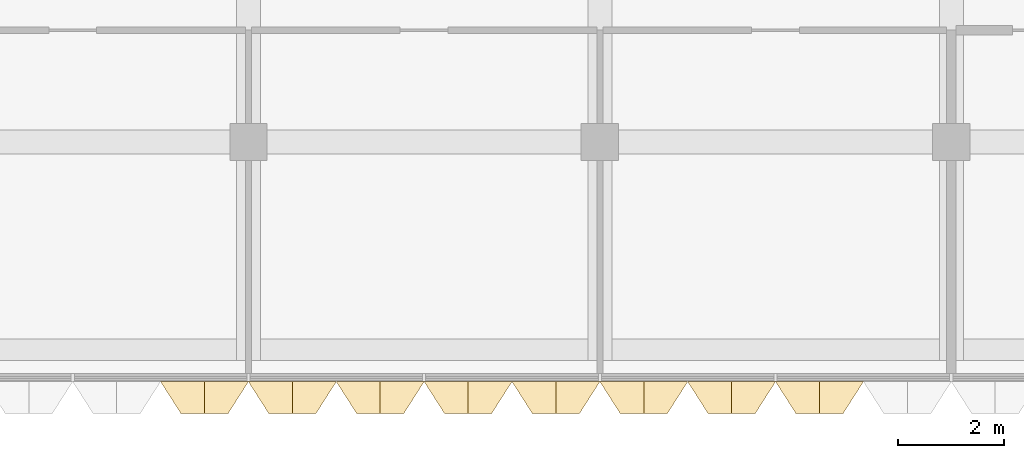
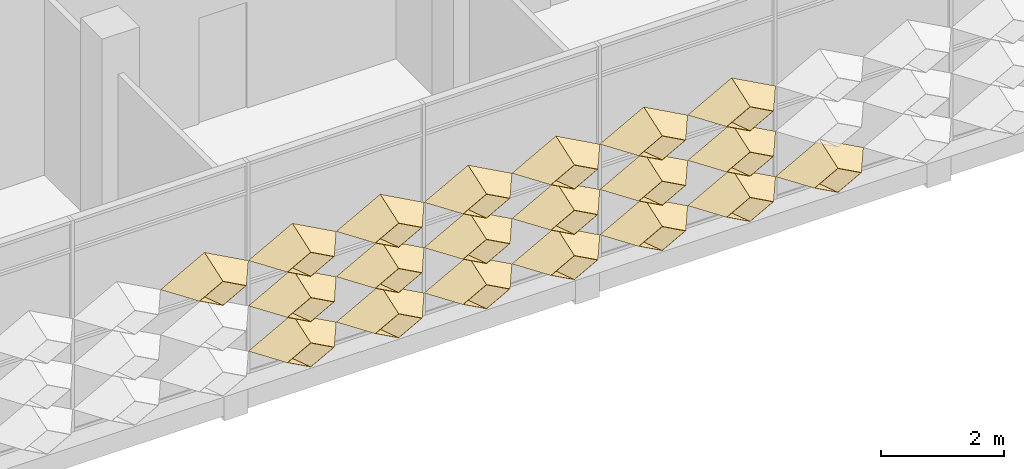
# One storey, part 37 of 61: 20 coverings.
"""IFC4 building model written with IfcOpenShell, lengths in metres."""

from ifc_helpers import new_model, entity, si_unit, direction, frame, origin, place, context, subcontext, project, spatial, material, layer, layer_set, type_object, element, save


model = new_model("IFC4")

# Units and contexts
model_context = context("Model", 3, precision=1e-05, world=origin(), true_north=direction((0.0, 1.0)))
body_context = subcontext(model_context, "Body", "Model", "MODEL_VIEW")
ifc_project = project(units=[si_unit("LENGTHUNIT", "METRE"), si_unit("AREAUNIT", "SQUARE_METRE"), si_unit("VOLUMEUNIT", "CUBIC_METRE"), si_unit("PLANEANGLEUNIT", "RADIAN"), si_unit("MASSUNIT", "GRAM", prefix="KILO")], contexts=[model_context])

# Site, building, storey
site_placement = place(None, origin())
site = spatial("IfcSite", under=ifc_project, at=site_placement, CompositionType="ELEMENT")
building_placement = place(site_placement, origin())
building = spatial("IfcBuilding", under=site, at=building_placement, Name="Lantern Court Research Institute", CompositionType="ELEMENT")
storey_placement = place(building_placement, frame((0.0, 0.0, 23.39990234375)))
storey = spatial("IfcBuildingStorey", under=building, at=storey_placement, Name="L05", CompositionType="ELEMENT", Elevation=23.39990234375)

# Coverings
ifc_material = material(Name="Anodised aluminium", Category="aluminium")
ifc_layer = layer(ifc_material, 0.01611328125)
ifc_layer_set = layer_set([ifc_layer], Name="Anodised aluminium")
covering_type = type_object("IfcCoveringType", Name="Fin cassette 1650 x 900 x 600 aluminium", PredefinedType="CLADDING", material=ifc_layer_set)
covering_1_placement = place(storey_placement, frame((33.824951171875, -8.39990234375, 0.4501953125), z_axis=(0.0, -1.0, 0.0), x_axis=(1.0, 0.0, 0.0)))
cartesian_point_1 = entity("IfcCartesianPoint", [0.824951171875, 0.0])
cartesian_point_2 = entity("IfcCartesianPoint", [0.79150390625, 0.0])
cartesian_point_3 = entity("IfcCartesianPoint", [0.44189453125, 0.0])
cartesian_point_4 = entity("IfcCartesianPoint", [0.43359375, 0.0])
element("IfcCovering", 1, at=covering_1_placement, inside=storey, type_object=covering_type, Name="Fin cassette V4S-L05 1.21", PredefinedType="CLADDING", context=body_context, shape_type="SweptSolid", body=[
    entity("IfcExtrudedAreaSolidTapered", entity("IfcArbitraryProfileDefWithVoids", "AREA", None, entity("IfcPolyline", [cartesian_point_1, entity("IfcCartesianPoint", [0.0, 0.449951171875]), entity("IfcCartesianPoint", [-0.824951171875, 0.0]), entity("IfcCartesianPoint", [0.0, -0.449951171875]), cartesian_point_1]), [entity("IfcPolyline", [cartesian_point_2, entity("IfcCartesianPoint", [0.0, 0.431884765625]), entity("IfcCartesianPoint", [-0.79150390625, 0.0]), entity("IfcCartesianPoint", [0.0, -0.431884765625]), cartesian_point_2])]), entity("IfcAxis2Placement3D", entity("IfcCartesianPoint", [0.0, 0.0, 0.0])), entity("IfcDirection", [0.0, 0.0, 1.0]), 0.60009765625, entity("IfcArbitraryProfileDefWithVoids", "AREA", None, entity("IfcPolyline", [cartesian_point_3, entity("IfcCartesianPoint", [0.0, 0.240966796875]), entity("IfcCartesianPoint", [-0.44189453125, 0.0]), entity("IfcCartesianPoint", [0.0, -0.240966796875]), cartesian_point_3]), [entity("IfcPolyline", [cartesian_point_4, entity("IfcCartesianPoint", [0.0, 0.236572265625]), entity("IfcCartesianPoint", [-0.43359375, 0.0]), entity("IfcCartesianPoint", [0.0, -0.236572265625]), cartesian_point_4])])),
])
covering_2_placement = place(storey_placement, frame((35.47509765625, -8.39990234375, 0.4501953125), z_axis=(0.0, -1.0, 0.0), x_axis=(1.0, 0.0, 0.0)))
cartesian_point_5 = entity("IfcCartesianPoint", [0.824951171875, 0.0])
cartesian_point_6 = entity("IfcCartesianPoint", [0.79150390625, 0.0])
cartesian_point_7 = entity("IfcCartesianPoint", [0.44189453125, 0.0])
cartesian_point_8 = entity("IfcCartesianPoint", [0.43359375, 0.0])
element("IfcCovering", 2, at=covering_2_placement, inside=storey, type_object=covering_type, Name="Fin cassette V4S-L05 1.22", PredefinedType="CLADDING", context=body_context, shape_type="SweptSolid", body=[
    entity("IfcExtrudedAreaSolidTapered", entity("IfcArbitraryProfileDefWithVoids", "AREA", None, entity("IfcPolyline", [cartesian_point_5, entity("IfcCartesianPoint", [0.0, 0.449951171875]), entity("IfcCartesianPoint", [-0.824951171875, 0.0]), entity("IfcCartesianPoint", [0.0, -0.449951171875]), cartesian_point_5]), [entity("IfcPolyline", [cartesian_point_6, entity("IfcCartesianPoint", [0.0, 0.431884765625]), entity("IfcCartesianPoint", [-0.79150390625, 0.0]), entity("IfcCartesianPoint", [0.0, -0.431884765625]), cartesian_point_6])]), entity("IfcAxis2Placement3D", entity("IfcCartesianPoint", [0.0, 0.0, 0.0])), entity("IfcDirection", [0.0, 0.0, 1.0]), 0.60009765625, entity("IfcArbitraryProfileDefWithVoids", "AREA", None, entity("IfcPolyline", [cartesian_point_7, entity("IfcCartesianPoint", [0.0, 0.240966796875]), entity("IfcCartesianPoint", [-0.44189453125, 0.0]), entity("IfcCartesianPoint", [0.0, -0.240966796875]), cartesian_point_7]), [entity("IfcPolyline", [cartesian_point_8, entity("IfcCartesianPoint", [0.0, 0.236572265625]), entity("IfcCartesianPoint", [-0.43359375, 0.0]), entity("IfcCartesianPoint", [0.0, -0.236572265625]), cartesian_point_8])])),
])
covering_3_placement = place(storey_placement, frame((37.125, -8.39990234375, 0.4501953125), z_axis=(0.0, -1.0, 0.0), x_axis=(1.0, 0.0, 0.0)))
cartesian_point_9 = entity("IfcCartesianPoint", [0.824951171875, 0.0])
cartesian_point_10 = entity("IfcCartesianPoint", [0.79150390625, 0.0])
cartesian_point_11 = entity("IfcCartesianPoint", [0.44189453125, 0.0])
cartesian_point_12 = entity("IfcCartesianPoint", [0.43359375, 0.0])
element("IfcCovering", 3, at=covering_3_placement, inside=storey, type_object=covering_type, Name="Fin cassette V4S-L05 1.23", PredefinedType="CLADDING", context=body_context, shape_type="SweptSolid", body=[
    entity("IfcExtrudedAreaSolidTapered", entity("IfcArbitraryProfileDefWithVoids", "AREA", None, entity("IfcPolyline", [cartesian_point_9, entity("IfcCartesianPoint", [0.0, 0.449951171875]), entity("IfcCartesianPoint", [-0.824951171875, 0.0]), entity("IfcCartesianPoint", [0.0, -0.449951171875]), cartesian_point_9]), [entity("IfcPolyline", [cartesian_point_10, entity("IfcCartesianPoint", [0.0, 0.431884765625]), entity("IfcCartesianPoint", [-0.79150390625, 0.0]), entity("IfcCartesianPoint", [0.0, -0.431884765625]), cartesian_point_10])]), entity("IfcAxis2Placement3D", entity("IfcCartesianPoint", [0.0, 0.0, 0.0])), entity("IfcDirection", [0.0, 0.0, 1.0]), 0.60009765625, entity("IfcArbitraryProfileDefWithVoids", "AREA", None, entity("IfcPolyline", [cartesian_point_11, entity("IfcCartesianPoint", [0.0, 0.240966796875]), entity("IfcCartesianPoint", [-0.44189453125, 0.0]), entity("IfcCartesianPoint", [0.0, -0.240966796875]), cartesian_point_11]), [entity("IfcPolyline", [cartesian_point_12, entity("IfcCartesianPoint", [0.0, 0.236572265625]), entity("IfcCartesianPoint", [-0.43359375, 0.0]), entity("IfcCartesianPoint", [0.0, -0.236572265625]), cartesian_point_12])])),
])
covering_4_placement = place(storey_placement, frame((38.77490234375, -8.39990234375, 0.4501953125), z_axis=(0.0, -1.0, 0.0), x_axis=(1.0, 0.0, 0.0)))
cartesian_point_13 = entity("IfcCartesianPoint", [0.824951171875, 0.0])
cartesian_point_14 = entity("IfcCartesianPoint", [0.79150390625, 0.0])
cartesian_point_15 = entity("IfcCartesianPoint", [0.44189453125, 0.0])
cartesian_point_16 = entity("IfcCartesianPoint", [0.43359375, 0.0])
element("IfcCovering", 4, at=covering_4_placement, inside=storey, type_object=covering_type, Name="Fin cassette V4S-L05 1.24", PredefinedType="CLADDING", context=body_context, shape_type="SweptSolid", body=[
    entity("IfcExtrudedAreaSolidTapered", entity("IfcArbitraryProfileDefWithVoids", "AREA", None, entity("IfcPolyline", [cartesian_point_13, entity("IfcCartesianPoint", [0.0, 0.449951171875]), entity("IfcCartesianPoint", [-0.824951171875, 0.0]), entity("IfcCartesianPoint", [0.0, -0.449951171875]), cartesian_point_13]), [entity("IfcPolyline", [cartesian_point_14, entity("IfcCartesianPoint", [0.0, 0.431884765625]), entity("IfcCartesianPoint", [-0.79150390625, 0.0]), entity("IfcCartesianPoint", [0.0, -0.431884765625]), cartesian_point_14])]), entity("IfcAxis2Placement3D", entity("IfcCartesianPoint", [0.0, 0.0, 0.0])), entity("IfcDirection", [0.0, 0.0, 1.0]), 0.60009765625, entity("IfcArbitraryProfileDefWithVoids", "AREA", None, entity("IfcPolyline", [cartesian_point_15, entity("IfcCartesianPoint", [0.0, 0.240966796875]), entity("IfcCartesianPoint", [-0.44189453125, 0.0]), entity("IfcCartesianPoint", [0.0, -0.240966796875]), cartesian_point_15]), [entity("IfcPolyline", [cartesian_point_16, entity("IfcCartesianPoint", [0.0, 0.236572265625]), entity("IfcCartesianPoint", [-0.43359375, 0.0]), entity("IfcCartesianPoint", [0.0, -0.236572265625]), cartesian_point_16])])),
])
covering_5_placement = place(storey_placement, frame((40.425048828125, -8.39990234375, 0.4501953125), z_axis=(0.0, -1.0, 0.0), x_axis=(1.0, 0.0, 0.0)))
cartesian_point_17 = entity("IfcCartesianPoint", [0.824951171875, 0.0])
cartesian_point_18 = entity("IfcCartesianPoint", [0.79150390625, 0.0])
cartesian_point_19 = entity("IfcCartesianPoint", [0.44189453125, 0.0])
cartesian_point_20 = entity("IfcCartesianPoint", [0.43359375, 0.0])
element("IfcCovering", 5, at=covering_5_placement, inside=storey, type_object=covering_type, Name="Fin cassette V4S-L05 1.25", PredefinedType="CLADDING", context=body_context, shape_type="SweptSolid", body=[
    entity("IfcExtrudedAreaSolidTapered", entity("IfcArbitraryProfileDefWithVoids", "AREA", None, entity("IfcPolyline", [cartesian_point_17, entity("IfcCartesianPoint", [0.0, 0.449951171875]), entity("IfcCartesianPoint", [-0.824951171875, 0.0]), entity("IfcCartesianPoint", [0.0, -0.449951171875]), cartesian_point_17]), [entity("IfcPolyline", [cartesian_point_18, entity("IfcCartesianPoint", [0.0, 0.431884765625]), entity("IfcCartesianPoint", [-0.79150390625, 0.0]), entity("IfcCartesianPoint", [0.0, -0.431884765625]), cartesian_point_18])]), entity("IfcAxis2Placement3D", entity("IfcCartesianPoint", [0.0, 0.0, 0.0])), entity("IfcDirection", [0.0, 0.0, 1.0]), 0.60009765625, entity("IfcArbitraryProfileDefWithVoids", "AREA", None, entity("IfcPolyline", [cartesian_point_19, entity("IfcCartesianPoint", [0.0, 0.240966796875]), entity("IfcCartesianPoint", [-0.44189453125, 0.0]), entity("IfcCartesianPoint", [0.0, -0.240966796875]), cartesian_point_19]), [entity("IfcPolyline", [cartesian_point_20, entity("IfcCartesianPoint", [0.0, 0.236572265625]), entity("IfcCartesianPoint", [-0.43359375, 0.0]), entity("IfcCartesianPoint", [0.0, -0.236572265625]), cartesian_point_20])])),
])
covering_6_placement = place(storey_placement, frame((42.074951171875, -8.39990234375, 0.4501953125), z_axis=(0.0, -1.0, 0.0), x_axis=(1.0, 0.0, 0.0)))
cartesian_point_21 = entity("IfcCartesianPoint", [0.824951171875, 0.0])
cartesian_point_22 = entity("IfcCartesianPoint", [0.79150390625, 0.0])
cartesian_point_23 = entity("IfcCartesianPoint", [0.44189453125, 0.0])
cartesian_point_24 = entity("IfcCartesianPoint", [0.43359375, 0.0])
element("IfcCovering", 6, at=covering_6_placement, inside=storey, type_object=covering_type, Name="Fin cassette V4S-L05 1.26", PredefinedType="CLADDING", context=body_context, shape_type="SweptSolid", body=[
    entity("IfcExtrudedAreaSolidTapered", entity("IfcArbitraryProfileDefWithVoids", "AREA", None, entity("IfcPolyline", [cartesian_point_21, entity("IfcCartesianPoint", [0.0, 0.449951171875]), entity("IfcCartesianPoint", [-0.824951171875, 0.0]), entity("IfcCartesianPoint", [0.0, -0.449951171875]), cartesian_point_21]), [entity("IfcPolyline", [cartesian_point_22, entity("IfcCartesianPoint", [0.0, 0.431884765625]), entity("IfcCartesianPoint", [-0.79150390625, 0.0]), entity("IfcCartesianPoint", [0.0, -0.431884765625]), cartesian_point_22])]), entity("IfcAxis2Placement3D", entity("IfcCartesianPoint", [0.0, 0.0, 0.0])), entity("IfcDirection", [0.0, 0.0, 1.0]), 0.60009765625, entity("IfcArbitraryProfileDefWithVoids", "AREA", None, entity("IfcPolyline", [cartesian_point_23, entity("IfcCartesianPoint", [0.0, 0.240966796875]), entity("IfcCartesianPoint", [-0.44189453125, 0.0]), entity("IfcCartesianPoint", [0.0, -0.240966796875]), cartesian_point_23]), [entity("IfcPolyline", [cartesian_point_24, entity("IfcCartesianPoint", [0.0, 0.236572265625]), entity("IfcCartesianPoint", [-0.43359375, 0.0]), entity("IfcCartesianPoint", [0.0, -0.236572265625]), cartesian_point_24])])),
])
covering_7_placement = place(storey_placement, frame((43.72509765625, -8.39990234375, 0.4501953125), z_axis=(0.0, -1.0, 0.0), x_axis=(1.0, 0.0, 0.0)))
cartesian_point_25 = entity("IfcCartesianPoint", [0.824951171875, 0.0])
cartesian_point_26 = entity("IfcCartesianPoint", [0.79150390625, 0.0])
cartesian_point_27 = entity("IfcCartesianPoint", [0.44189453125, 0.0])
cartesian_point_28 = entity("IfcCartesianPoint", [0.43359375, 0.0])
element("IfcCovering", 7, at=covering_7_placement, inside=storey, type_object=covering_type, Name="Fin cassette V4S-L05 1.27", PredefinedType="CLADDING", context=body_context, shape_type="SweptSolid", body=[
    entity("IfcExtrudedAreaSolidTapered", entity("IfcArbitraryProfileDefWithVoids", "AREA", None, entity("IfcPolyline", [cartesian_point_25, entity("IfcCartesianPoint", [0.0, 0.449951171875]), entity("IfcCartesianPoint", [-0.824951171875, 0.0]), entity("IfcCartesianPoint", [0.0, -0.449951171875]), cartesian_point_25]), [entity("IfcPolyline", [cartesian_point_26, entity("IfcCartesianPoint", [0.0, 0.431884765625]), entity("IfcCartesianPoint", [-0.79150390625, 0.0]), entity("IfcCartesianPoint", [0.0, -0.431884765625]), cartesian_point_26])]), entity("IfcAxis2Placement3D", entity("IfcCartesianPoint", [0.0, 0.0, 0.0])), entity("IfcDirection", [0.0, 0.0, 1.0]), 0.60009765625, entity("IfcArbitraryProfileDefWithVoids", "AREA", None, entity("IfcPolyline", [cartesian_point_27, entity("IfcCartesianPoint", [0.0, 0.240966796875]), entity("IfcCartesianPoint", [-0.44189453125, 0.0]), entity("IfcCartesianPoint", [0.0, -0.240966796875]), cartesian_point_27]), [entity("IfcPolyline", [cartesian_point_28, entity("IfcCartesianPoint", [0.0, 0.236572265625]), entity("IfcCartesianPoint", [-0.43359375, 0.0]), entity("IfcCartesianPoint", [0.0, -0.236572265625]), cartesian_point_28])])),
])
covering_8_placement = place(storey_placement, frame((33.824951171875, -8.39990234375, 1.35009765625), z_axis=(0.0, -1.0, 0.0), x_axis=(1.0, 0.0, 0.0)))
cartesian_point_29 = entity("IfcCartesianPoint", [0.824951171875, 0.0])
cartesian_point_30 = entity("IfcCartesianPoint", [0.79150390625, 0.0])
cartesian_point_31 = entity("IfcCartesianPoint", [0.44189453125, 0.0])
cartesian_point_32 = entity("IfcCartesianPoint", [0.43359375, 0.0])
element("IfcCovering", 8, at=covering_8_placement, inside=storey, type_object=covering_type, Name="Fin cassette V4S-L05 2.21", PredefinedType="CLADDING", context=body_context, shape_type="SweptSolid", body=[
    entity("IfcExtrudedAreaSolidTapered", entity("IfcArbitraryProfileDefWithVoids", "AREA", None, entity("IfcPolyline", [cartesian_point_29, entity("IfcCartesianPoint", [0.0, 0.449951171875]), entity("IfcCartesianPoint", [-0.824951171875, 0.0]), entity("IfcCartesianPoint", [0.0, -0.449951171875]), cartesian_point_29]), [entity("IfcPolyline", [cartesian_point_30, entity("IfcCartesianPoint", [0.0, 0.431884765625]), entity("IfcCartesianPoint", [-0.79150390625, 0.0]), entity("IfcCartesianPoint", [0.0, -0.431884765625]), cartesian_point_30])]), entity("IfcAxis2Placement3D", entity("IfcCartesianPoint", [0.0, 0.0, 0.0])), entity("IfcDirection", [0.0, 0.0, 1.0]), 0.60009765625, entity("IfcArbitraryProfileDefWithVoids", "AREA", None, entity("IfcPolyline", [cartesian_point_31, entity("IfcCartesianPoint", [0.0, 0.240966796875]), entity("IfcCartesianPoint", [-0.44189453125, 0.0]), entity("IfcCartesianPoint", [0.0, -0.240966796875]), cartesian_point_31]), [entity("IfcPolyline", [cartesian_point_32, entity("IfcCartesianPoint", [0.0, 0.236572265625]), entity("IfcCartesianPoint", [-0.43359375, 0.0]), entity("IfcCartesianPoint", [0.0, -0.236572265625]), cartesian_point_32])])),
])
covering_9_placement = place(storey_placement, frame((35.47509765625, -8.39990234375, 1.35009765625), z_axis=(0.0, -1.0, 0.0), x_axis=(1.0, 0.0, 0.0)))
cartesian_point_33 = entity("IfcCartesianPoint", [0.824951171875, 0.0])
cartesian_point_34 = entity("IfcCartesianPoint", [0.79150390625, 0.0])
cartesian_point_35 = entity("IfcCartesianPoint", [0.44189453125, 0.0])
cartesian_point_36 = entity("IfcCartesianPoint", [0.43359375, 0.0])
element("IfcCovering", 9, at=covering_9_placement, inside=storey, type_object=covering_type, Name="Fin cassette V4S-L05 2.22", PredefinedType="CLADDING", context=body_context, shape_type="SweptSolid", body=[
    entity("IfcExtrudedAreaSolidTapered", entity("IfcArbitraryProfileDefWithVoids", "AREA", None, entity("IfcPolyline", [cartesian_point_33, entity("IfcCartesianPoint", [0.0, 0.449951171875]), entity("IfcCartesianPoint", [-0.824951171875, 0.0]), entity("IfcCartesianPoint", [0.0, -0.449951171875]), cartesian_point_33]), [entity("IfcPolyline", [cartesian_point_34, entity("IfcCartesianPoint", [0.0, 0.431884765625]), entity("IfcCartesianPoint", [-0.79150390625, 0.0]), entity("IfcCartesianPoint", [0.0, -0.431884765625]), cartesian_point_34])]), entity("IfcAxis2Placement3D", entity("IfcCartesianPoint", [0.0, 0.0, 0.0])), entity("IfcDirection", [0.0, 0.0, 1.0]), 0.60009765625, entity("IfcArbitraryProfileDefWithVoids", "AREA", None, entity("IfcPolyline", [cartesian_point_35, entity("IfcCartesianPoint", [0.0, 0.240966796875]), entity("IfcCartesianPoint", [-0.44189453125, 0.0]), entity("IfcCartesianPoint", [0.0, -0.240966796875]), cartesian_point_35]), [entity("IfcPolyline", [cartesian_point_36, entity("IfcCartesianPoint", [0.0, 0.236572265625]), entity("IfcCartesianPoint", [-0.43359375, 0.0]), entity("IfcCartesianPoint", [0.0, -0.236572265625]), cartesian_point_36])])),
])
covering_10_placement = place(storey_placement, frame((37.125, -8.39990234375, 1.35009765625), z_axis=(0.0, -1.0, 0.0), x_axis=(1.0, 0.0, 0.0)))
cartesian_point_37 = entity("IfcCartesianPoint", [0.824951171875, 0.0])
cartesian_point_38 = entity("IfcCartesianPoint", [0.79150390625, 0.0])
cartesian_point_39 = entity("IfcCartesianPoint", [0.44189453125, 0.0])
cartesian_point_40 = entity("IfcCartesianPoint", [0.43359375, 0.0])
element("IfcCovering", 10, at=covering_10_placement, inside=storey, type_object=covering_type, Name="Fin cassette V4S-L05 2.23", PredefinedType="CLADDING", context=body_context, shape_type="SweptSolid", body=[
    entity("IfcExtrudedAreaSolidTapered", entity("IfcArbitraryProfileDefWithVoids", "AREA", None, entity("IfcPolyline", [cartesian_point_37, entity("IfcCartesianPoint", [0.0, 0.449951171875]), entity("IfcCartesianPoint", [-0.824951171875, 0.0]), entity("IfcCartesianPoint", [0.0, -0.449951171875]), cartesian_point_37]), [entity("IfcPolyline", [cartesian_point_38, entity("IfcCartesianPoint", [0.0, 0.431884765625]), entity("IfcCartesianPoint", [-0.79150390625, 0.0]), entity("IfcCartesianPoint", [0.0, -0.431884765625]), cartesian_point_38])]), entity("IfcAxis2Placement3D", entity("IfcCartesianPoint", [0.0, 0.0, 0.0])), entity("IfcDirection", [0.0, 0.0, 1.0]), 0.60009765625, entity("IfcArbitraryProfileDefWithVoids", "AREA", None, entity("IfcPolyline", [cartesian_point_39, entity("IfcCartesianPoint", [0.0, 0.240966796875]), entity("IfcCartesianPoint", [-0.44189453125, 0.0]), entity("IfcCartesianPoint", [0.0, -0.240966796875]), cartesian_point_39]), [entity("IfcPolyline", [cartesian_point_40, entity("IfcCartesianPoint", [0.0, 0.236572265625]), entity("IfcCartesianPoint", [-0.43359375, 0.0]), entity("IfcCartesianPoint", [0.0, -0.236572265625]), cartesian_point_40])])),
])
covering_11_placement = place(storey_placement, frame((38.77490234375, -8.39990234375, 1.35009765625), z_axis=(0.0, -1.0, 0.0), x_axis=(1.0, 0.0, 0.0)))
cartesian_point_41 = entity("IfcCartesianPoint", [0.824951171875, 0.0])
cartesian_point_42 = entity("IfcCartesianPoint", [0.79150390625, 0.0])
cartesian_point_43 = entity("IfcCartesianPoint", [0.44189453125, 0.0])
cartesian_point_44 = entity("IfcCartesianPoint", [0.43359375, 0.0])
element("IfcCovering", 11, at=covering_11_placement, inside=storey, type_object=covering_type, Name="Fin cassette V4S-L05 2.24", PredefinedType="CLADDING", context=body_context, shape_type="SweptSolid", body=[
    entity("IfcExtrudedAreaSolidTapered", entity("IfcArbitraryProfileDefWithVoids", "AREA", None, entity("IfcPolyline", [cartesian_point_41, entity("IfcCartesianPoint", [0.0, 0.449951171875]), entity("IfcCartesianPoint", [-0.824951171875, 0.0]), entity("IfcCartesianPoint", [0.0, -0.449951171875]), cartesian_point_41]), [entity("IfcPolyline", [cartesian_point_42, entity("IfcCartesianPoint", [0.0, 0.431884765625]), entity("IfcCartesianPoint", [-0.79150390625, 0.0]), entity("IfcCartesianPoint", [0.0, -0.431884765625]), cartesian_point_42])]), entity("IfcAxis2Placement3D", entity("IfcCartesianPoint", [0.0, 0.0, 0.0])), entity("IfcDirection", [0.0, 0.0, 1.0]), 0.60009765625, entity("IfcArbitraryProfileDefWithVoids", "AREA", None, entity("IfcPolyline", [cartesian_point_43, entity("IfcCartesianPoint", [0.0, 0.240966796875]), entity("IfcCartesianPoint", [-0.44189453125, 0.0]), entity("IfcCartesianPoint", [0.0, -0.240966796875]), cartesian_point_43]), [entity("IfcPolyline", [cartesian_point_44, entity("IfcCartesianPoint", [0.0, 0.236572265625]), entity("IfcCartesianPoint", [-0.43359375, 0.0]), entity("IfcCartesianPoint", [0.0, -0.236572265625]), cartesian_point_44])])),
])
covering_12_placement = place(storey_placement, frame((40.425048828125, -8.39990234375, 1.35009765625), z_axis=(0.0, -1.0, 0.0), x_axis=(1.0, 0.0, 0.0)))
cartesian_point_45 = entity("IfcCartesianPoint", [0.824951171875, 0.0])
cartesian_point_46 = entity("IfcCartesianPoint", [0.79150390625, 0.0])
cartesian_point_47 = entity("IfcCartesianPoint", [0.44189453125, 0.0])
cartesian_point_48 = entity("IfcCartesianPoint", [0.43359375, 0.0])
element("IfcCovering", 12, at=covering_12_placement, inside=storey, type_object=covering_type, Name="Fin cassette V4S-L05 2.25", PredefinedType="CLADDING", context=body_context, shape_type="SweptSolid", body=[
    entity("IfcExtrudedAreaSolidTapered", entity("IfcArbitraryProfileDefWithVoids", "AREA", None, entity("IfcPolyline", [cartesian_point_45, entity("IfcCartesianPoint", [0.0, 0.449951171875]), entity("IfcCartesianPoint", [-0.824951171875, 0.0]), entity("IfcCartesianPoint", [0.0, -0.449951171875]), cartesian_point_45]), [entity("IfcPolyline", [cartesian_point_46, entity("IfcCartesianPoint", [0.0, 0.431884765625]), entity("IfcCartesianPoint", [-0.79150390625, 0.0]), entity("IfcCartesianPoint", [0.0, -0.431884765625]), cartesian_point_46])]), entity("IfcAxis2Placement3D", entity("IfcCartesianPoint", [0.0, 0.0, 0.0])), entity("IfcDirection", [0.0, 0.0, 1.0]), 0.60009765625, entity("IfcArbitraryProfileDefWithVoids", "AREA", None, entity("IfcPolyline", [cartesian_point_47, entity("IfcCartesianPoint", [0.0, 0.240966796875]), entity("IfcCartesianPoint", [-0.44189453125, 0.0]), entity("IfcCartesianPoint", [0.0, -0.240966796875]), cartesian_point_47]), [entity("IfcPolyline", [cartesian_point_48, entity("IfcCartesianPoint", [0.0, 0.236572265625]), entity("IfcCartesianPoint", [-0.43359375, 0.0]), entity("IfcCartesianPoint", [0.0, -0.236572265625]), cartesian_point_48])])),
])
covering_13_placement = place(storey_placement, frame((42.074951171875, -8.39990234375, 1.35009765625), z_axis=(0.0, -1.0, 0.0), x_axis=(1.0, 0.0, 0.0)))
cartesian_point_49 = entity("IfcCartesianPoint", [0.824951171875, 0.0])
cartesian_point_50 = entity("IfcCartesianPoint", [0.79150390625, 0.0])
cartesian_point_51 = entity("IfcCartesianPoint", [0.44189453125, 0.0])
cartesian_point_52 = entity("IfcCartesianPoint", [0.43359375, 0.0])
element("IfcCovering", 13, at=covering_13_placement, inside=storey, type_object=covering_type, Name="Fin cassette V4S-L05 2.26", PredefinedType="CLADDING", context=body_context, shape_type="SweptSolid", body=[
    entity("IfcExtrudedAreaSolidTapered", entity("IfcArbitraryProfileDefWithVoids", "AREA", None, entity("IfcPolyline", [cartesian_point_49, entity("IfcCartesianPoint", [0.0, 0.449951171875]), entity("IfcCartesianPoint", [-0.824951171875, 0.0]), entity("IfcCartesianPoint", [0.0, -0.449951171875]), cartesian_point_49]), [entity("IfcPolyline", [cartesian_point_50, entity("IfcCartesianPoint", [0.0, 0.431884765625]), entity("IfcCartesianPoint", [-0.79150390625, 0.0]), entity("IfcCartesianPoint", [0.0, -0.431884765625]), cartesian_point_50])]), entity("IfcAxis2Placement3D", entity("IfcCartesianPoint", [0.0, 0.0, 0.0])), entity("IfcDirection", [0.0, 0.0, 1.0]), 0.60009765625, entity("IfcArbitraryProfileDefWithVoids", "AREA", None, entity("IfcPolyline", [cartesian_point_51, entity("IfcCartesianPoint", [0.0, 0.240966796875]), entity("IfcCartesianPoint", [-0.44189453125, 0.0]), entity("IfcCartesianPoint", [0.0, -0.240966796875]), cartesian_point_51]), [entity("IfcPolyline", [cartesian_point_52, entity("IfcCartesianPoint", [0.0, 0.236572265625]), entity("IfcCartesianPoint", [-0.43359375, 0.0]), entity("IfcCartesianPoint", [0.0, -0.236572265625]), cartesian_point_52])])),
])
covering_14_placement = place(storey_placement, frame((32.175048828125, -8.39990234375, 2.25), z_axis=(0.0, -1.0, 0.0), x_axis=(1.0, 0.0, 0.0)))
cartesian_point_53 = entity("IfcCartesianPoint", [0.824951171875, 0.0])
cartesian_point_54 = entity("IfcCartesianPoint", [0.79150390625, 0.0])
cartesian_point_55 = entity("IfcCartesianPoint", [0.44189453125, 0.0])
cartesian_point_56 = entity("IfcCartesianPoint", [0.43359375, 0.0])
element("IfcCovering", 14, at=covering_14_placement, inside=storey, type_object=covering_type, Name="Fin cassette V4S-L05 3.20", PredefinedType="CLADDING", context=body_context, shape_type="SweptSolid", body=[
    entity("IfcExtrudedAreaSolidTapered", entity("IfcArbitraryProfileDefWithVoids", "AREA", None, entity("IfcPolyline", [cartesian_point_53, entity("IfcCartesianPoint", [0.0, 0.449951171875]), entity("IfcCartesianPoint", [-0.824951171875, 0.0]), entity("IfcCartesianPoint", [0.0, -0.449951171875]), cartesian_point_53]), [entity("IfcPolyline", [cartesian_point_54, entity("IfcCartesianPoint", [0.0, 0.431884765625]), entity("IfcCartesianPoint", [-0.79150390625, 0.0]), entity("IfcCartesianPoint", [0.0, -0.431884765625]), cartesian_point_54])]), entity("IfcAxis2Placement3D", entity("IfcCartesianPoint", [0.0, 0.0, 0.0])), entity("IfcDirection", [0.0, 0.0, 1.0]), 0.60009765625, entity("IfcArbitraryProfileDefWithVoids", "AREA", None, entity("IfcPolyline", [cartesian_point_55, entity("IfcCartesianPoint", [0.0, 0.240966796875]), entity("IfcCartesianPoint", [-0.44189453125, 0.0]), entity("IfcCartesianPoint", [0.0, -0.240966796875]), cartesian_point_55]), [entity("IfcPolyline", [cartesian_point_56, entity("IfcCartesianPoint", [0.0, 0.236572265625]), entity("IfcCartesianPoint", [-0.43359375, 0.0]), entity("IfcCartesianPoint", [0.0, -0.236572265625]), cartesian_point_56])])),
])
covering_15_placement = place(storey_placement, frame((33.824951171875, -8.39990234375, 2.25), z_axis=(0.0, -1.0, 0.0), x_axis=(1.0, 0.0, 0.0)))
cartesian_point_57 = entity("IfcCartesianPoint", [0.824951171875, 0.0])
cartesian_point_58 = entity("IfcCartesianPoint", [0.79150390625, 0.0])
cartesian_point_59 = entity("IfcCartesianPoint", [0.44189453125, 0.0])
cartesian_point_60 = entity("IfcCartesianPoint", [0.43359375, 0.0])
element("IfcCovering", 15, at=covering_15_placement, inside=storey, type_object=covering_type, Name="Fin cassette V4S-L05 3.21", PredefinedType="CLADDING", context=body_context, shape_type="SweptSolid", body=[
    entity("IfcExtrudedAreaSolidTapered", entity("IfcArbitraryProfileDefWithVoids", "AREA", None, entity("IfcPolyline", [cartesian_point_57, entity("IfcCartesianPoint", [0.0, 0.449951171875]), entity("IfcCartesianPoint", [-0.824951171875, 0.0]), entity("IfcCartesianPoint", [0.0, -0.449951171875]), cartesian_point_57]), [entity("IfcPolyline", [cartesian_point_58, entity("IfcCartesianPoint", [0.0, 0.431884765625]), entity("IfcCartesianPoint", [-0.79150390625, 0.0]), entity("IfcCartesianPoint", [0.0, -0.431884765625]), cartesian_point_58])]), entity("IfcAxis2Placement3D", entity("IfcCartesianPoint", [0.0, 0.0, 0.0])), entity("IfcDirection", [0.0, 0.0, 1.0]), 0.60009765625, entity("IfcArbitraryProfileDefWithVoids", "AREA", None, entity("IfcPolyline", [cartesian_point_59, entity("IfcCartesianPoint", [0.0, 0.240966796875]), entity("IfcCartesianPoint", [-0.44189453125, 0.0]), entity("IfcCartesianPoint", [0.0, -0.240966796875]), cartesian_point_59]), [entity("IfcPolyline", [cartesian_point_60, entity("IfcCartesianPoint", [0.0, 0.236572265625]), entity("IfcCartesianPoint", [-0.43359375, 0.0]), entity("IfcCartesianPoint", [0.0, -0.236572265625]), cartesian_point_60])])),
])
covering_16_placement = place(storey_placement, frame((35.47509765625, -8.39990234375, 2.25), z_axis=(0.0, -1.0, 0.0), x_axis=(1.0, 0.0, 0.0)))
cartesian_point_61 = entity("IfcCartesianPoint", [0.824951171875, 0.0])
cartesian_point_62 = entity("IfcCartesianPoint", [0.79150390625, 0.0])
cartesian_point_63 = entity("IfcCartesianPoint", [0.44189453125, 0.0])
cartesian_point_64 = entity("IfcCartesianPoint", [0.43359375, 0.0])
element("IfcCovering", 16, at=covering_16_placement, inside=storey, type_object=covering_type, Name="Fin cassette V4S-L05 3.22", PredefinedType="CLADDING", context=body_context, shape_type="SweptSolid", body=[
    entity("IfcExtrudedAreaSolidTapered", entity("IfcArbitraryProfileDefWithVoids", "AREA", None, entity("IfcPolyline", [cartesian_point_61, entity("IfcCartesianPoint", [0.0, 0.449951171875]), entity("IfcCartesianPoint", [-0.824951171875, 0.0]), entity("IfcCartesianPoint", [0.0, -0.449951171875]), cartesian_point_61]), [entity("IfcPolyline", [cartesian_point_62, entity("IfcCartesianPoint", [0.0, 0.431884765625]), entity("IfcCartesianPoint", [-0.79150390625, 0.0]), entity("IfcCartesianPoint", [0.0, -0.431884765625]), cartesian_point_62])]), entity("IfcAxis2Placement3D", entity("IfcCartesianPoint", [0.0, 0.0, 0.0])), entity("IfcDirection", [0.0, 0.0, 1.0]), 0.60009765625, entity("IfcArbitraryProfileDefWithVoids", "AREA", None, entity("IfcPolyline", [cartesian_point_63, entity("IfcCartesianPoint", [0.0, 0.240966796875]), entity("IfcCartesianPoint", [-0.44189453125, 0.0]), entity("IfcCartesianPoint", [0.0, -0.240966796875]), cartesian_point_63]), [entity("IfcPolyline", [cartesian_point_64, entity("IfcCartesianPoint", [0.0, 0.236572265625]), entity("IfcCartesianPoint", [-0.43359375, 0.0]), entity("IfcCartesianPoint", [0.0, -0.236572265625]), cartesian_point_64])])),
])
covering_17_placement = place(storey_placement, frame((37.125, -8.39990234375, 2.25), z_axis=(0.0, -1.0, 0.0), x_axis=(1.0, 0.0, 0.0)))
cartesian_point_65 = entity("IfcCartesianPoint", [0.824951171875, 0.0])
cartesian_point_66 = entity("IfcCartesianPoint", [0.79150390625, 0.0])
cartesian_point_67 = entity("IfcCartesianPoint", [0.44189453125, 0.0])
cartesian_point_68 = entity("IfcCartesianPoint", [0.43359375, 0.0])
element("IfcCovering", 17, at=covering_17_placement, inside=storey, type_object=covering_type, Name="Fin cassette V4S-L05 3.23", PredefinedType="CLADDING", context=body_context, shape_type="SweptSolid", body=[
    entity("IfcExtrudedAreaSolidTapered", entity("IfcArbitraryProfileDefWithVoids", "AREA", None, entity("IfcPolyline", [cartesian_point_65, entity("IfcCartesianPoint", [0.0, 0.449951171875]), entity("IfcCartesianPoint", [-0.824951171875, 0.0]), entity("IfcCartesianPoint", [0.0, -0.449951171875]), cartesian_point_65]), [entity("IfcPolyline", [cartesian_point_66, entity("IfcCartesianPoint", [0.0, 0.431884765625]), entity("IfcCartesianPoint", [-0.79150390625, 0.0]), entity("IfcCartesianPoint", [0.0, -0.431884765625]), cartesian_point_66])]), entity("IfcAxis2Placement3D", entity("IfcCartesianPoint", [0.0, 0.0, 0.0])), entity("IfcDirection", [0.0, 0.0, 1.0]), 0.60009765625, entity("IfcArbitraryProfileDefWithVoids", "AREA", None, entity("IfcPolyline", [cartesian_point_67, entity("IfcCartesianPoint", [0.0, 0.240966796875]), entity("IfcCartesianPoint", [-0.44189453125, 0.0]), entity("IfcCartesianPoint", [0.0, -0.240966796875]), cartesian_point_67]), [entity("IfcPolyline", [cartesian_point_68, entity("IfcCartesianPoint", [0.0, 0.236572265625]), entity("IfcCartesianPoint", [-0.43359375, 0.0]), entity("IfcCartesianPoint", [0.0, -0.236572265625]), cartesian_point_68])])),
])
covering_18_placement = place(storey_placement, frame((38.77490234375, -8.39990234375, 2.25), z_axis=(0.0, -1.0, 0.0), x_axis=(1.0, 0.0, 0.0)))
cartesian_point_69 = entity("IfcCartesianPoint", [0.824951171875, 0.0])
cartesian_point_70 = entity("IfcCartesianPoint", [0.79150390625, 0.0])
cartesian_point_71 = entity("IfcCartesianPoint", [0.44189453125, 0.0])
cartesian_point_72 = entity("IfcCartesianPoint", [0.43359375, 0.0])
element("IfcCovering", 18, at=covering_18_placement, inside=storey, type_object=covering_type, Name="Fin cassette V4S-L05 3.24", PredefinedType="CLADDING", context=body_context, shape_type="SweptSolid", body=[
    entity("IfcExtrudedAreaSolidTapered", entity("IfcArbitraryProfileDefWithVoids", "AREA", None, entity("IfcPolyline", [cartesian_point_69, entity("IfcCartesianPoint", [0.0, 0.449951171875]), entity("IfcCartesianPoint", [-0.824951171875, 0.0]), entity("IfcCartesianPoint", [0.0, -0.449951171875]), cartesian_point_69]), [entity("IfcPolyline", [cartesian_point_70, entity("IfcCartesianPoint", [0.0, 0.431884765625]), entity("IfcCartesianPoint", [-0.79150390625, 0.0]), entity("IfcCartesianPoint", [0.0, -0.431884765625]), cartesian_point_70])]), entity("IfcAxis2Placement3D", entity("IfcCartesianPoint", [0.0, 0.0, 0.0])), entity("IfcDirection", [0.0, 0.0, 1.0]), 0.60009765625, entity("IfcArbitraryProfileDefWithVoids", "AREA", None, entity("IfcPolyline", [cartesian_point_71, entity("IfcCartesianPoint", [0.0, 0.240966796875]), entity("IfcCartesianPoint", [-0.44189453125, 0.0]), entity("IfcCartesianPoint", [0.0, -0.240966796875]), cartesian_point_71]), [entity("IfcPolyline", [cartesian_point_72, entity("IfcCartesianPoint", [0.0, 0.236572265625]), entity("IfcCartesianPoint", [-0.43359375, 0.0]), entity("IfcCartesianPoint", [0.0, -0.236572265625]), cartesian_point_72])])),
])
covering_19_placement = place(storey_placement, frame((40.425048828125, -8.39990234375, 2.25), z_axis=(0.0, -1.0, 0.0), x_axis=(1.0, 0.0, 0.0)))
cartesian_point_73 = entity("IfcCartesianPoint", [0.824951171875, 0.0])
cartesian_point_74 = entity("IfcCartesianPoint", [0.79150390625, 0.0])
cartesian_point_75 = entity("IfcCartesianPoint", [0.44189453125, 0.0])
cartesian_point_76 = entity("IfcCartesianPoint", [0.43359375, 0.0])
element("IfcCovering", 19, at=covering_19_placement, inside=storey, type_object=covering_type, Name="Fin cassette V4S-L05 3.25", PredefinedType="CLADDING", context=body_context, shape_type="SweptSolid", body=[
    entity("IfcExtrudedAreaSolidTapered", entity("IfcArbitraryProfileDefWithVoids", "AREA", None, entity("IfcPolyline", [cartesian_point_73, entity("IfcCartesianPoint", [0.0, 0.449951171875]), entity("IfcCartesianPoint", [-0.824951171875, 0.0]), entity("IfcCartesianPoint", [0.0, -0.449951171875]), cartesian_point_73]), [entity("IfcPolyline", [cartesian_point_74, entity("IfcCartesianPoint", [0.0, 0.431884765625]), entity("IfcCartesianPoint", [-0.79150390625, 0.0]), entity("IfcCartesianPoint", [0.0, -0.431884765625]), cartesian_point_74])]), entity("IfcAxis2Placement3D", entity("IfcCartesianPoint", [0.0, 0.0, 0.0])), entity("IfcDirection", [0.0, 0.0, 1.0]), 0.60009765625, entity("IfcArbitraryProfileDefWithVoids", "AREA", None, entity("IfcPolyline", [cartesian_point_75, entity("IfcCartesianPoint", [0.0, 0.240966796875]), entity("IfcCartesianPoint", [-0.44189453125, 0.0]), entity("IfcCartesianPoint", [0.0, -0.240966796875]), cartesian_point_75]), [entity("IfcPolyline", [cartesian_point_76, entity("IfcCartesianPoint", [0.0, 0.236572265625]), entity("IfcCartesianPoint", [-0.43359375, 0.0]), entity("IfcCartesianPoint", [0.0, -0.236572265625]), cartesian_point_76])])),
])
covering_20_placement = place(storey_placement, frame((42.074951171875, -8.39990234375, 2.25), z_axis=(0.0, -1.0, 0.0), x_axis=(1.0, 0.0, 0.0)))
cartesian_point_77 = entity("IfcCartesianPoint", [0.824951171875, 0.0])
cartesian_point_78 = entity("IfcCartesianPoint", [0.79150390625, 0.0])
cartesian_point_79 = entity("IfcCartesianPoint", [0.44189453125, 0.0])
cartesian_point_80 = entity("IfcCartesianPoint", [0.43359375, 0.0])
element("IfcCovering", 20, at=covering_20_placement, inside=storey, type_object=covering_type, Name="Fin cassette V4S-L05 3.26", PredefinedType="CLADDING", context=body_context, shape_type="SweptSolid", body=[
    entity("IfcExtrudedAreaSolidTapered", entity("IfcArbitraryProfileDefWithVoids", "AREA", None, entity("IfcPolyline", [cartesian_point_77, entity("IfcCartesianPoint", [0.0, 0.449951171875]), entity("IfcCartesianPoint", [-0.824951171875, 0.0]), entity("IfcCartesianPoint", [0.0, -0.449951171875]), cartesian_point_77]), [entity("IfcPolyline", [cartesian_point_78, entity("IfcCartesianPoint", [0.0, 0.431884765625]), entity("IfcCartesianPoint", [-0.79150390625, 0.0]), entity("IfcCartesianPoint", [0.0, -0.431884765625]), cartesian_point_78])]), entity("IfcAxis2Placement3D", entity("IfcCartesianPoint", [0.0, 0.0, 0.0])), entity("IfcDirection", [0.0, 0.0, 1.0]), 0.60009765625, entity("IfcArbitraryProfileDefWithVoids", "AREA", None, entity("IfcPolyline", [cartesian_point_79, entity("IfcCartesianPoint", [0.0, 0.240966796875]), entity("IfcCartesianPoint", [-0.44189453125, 0.0]), entity("IfcCartesianPoint", [0.0, -0.240966796875]), cartesian_point_79]), [entity("IfcPolyline", [cartesian_point_80, entity("IfcCartesianPoint", [0.0, 0.236572265625]), entity("IfcCartesianPoint", [-0.43359375, 0.0]), entity("IfcCartesianPoint", [0.0, -0.236572265625]), cartesian_point_80])])),
])

save(model, "model.ifc")
